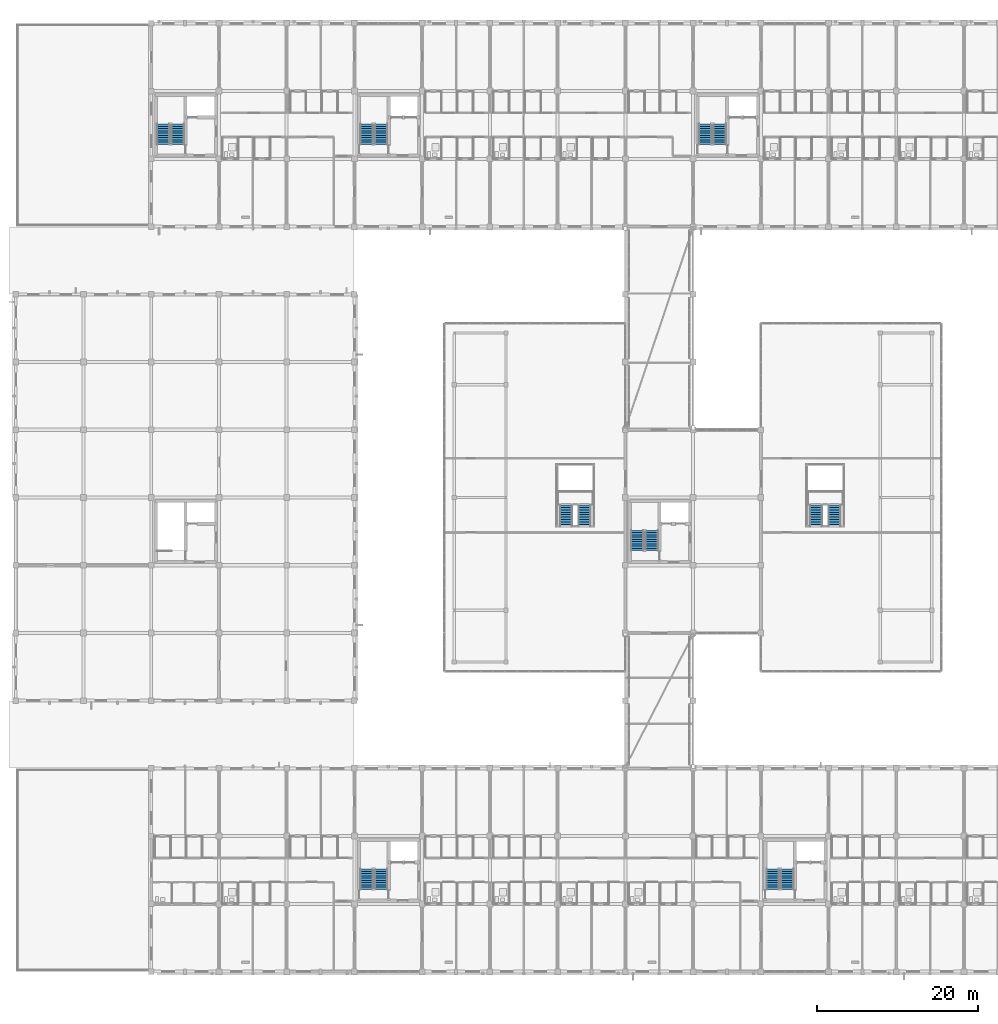
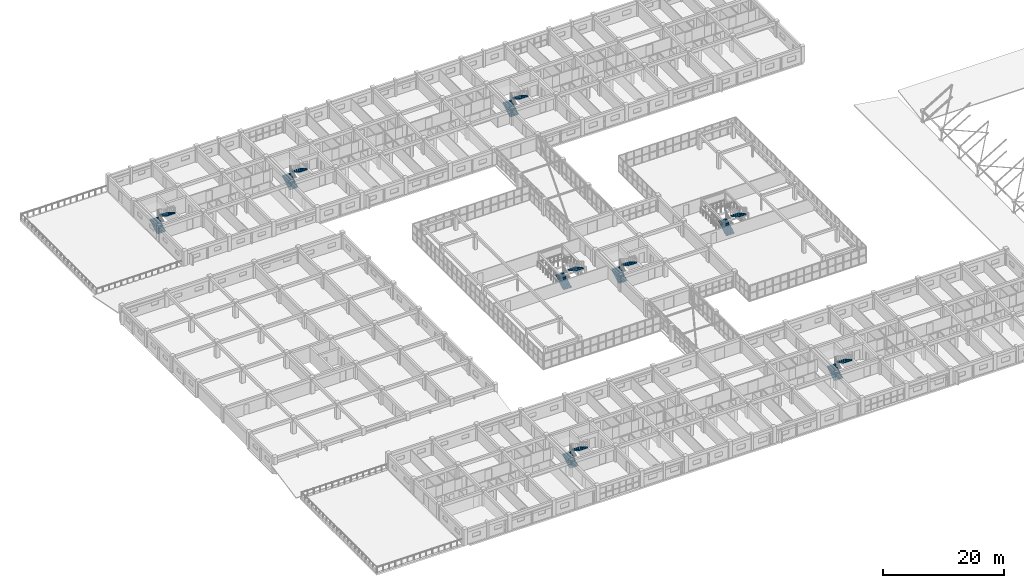
# One storey, part 133 of 148: 16 stair flights, 8 elements without a shape of their own.
"""IFC4 building model written with IfcOpenShell, lengths in metres."""

from ifc_helpers import new_model, si_unit, direction, frame, origin, place, context, subcontext, project, spatial, polyline, outline, extrude, material, type_object, element, aggregate, save


model = new_model("IFC4")

# Units and contexts
model_context = context("Model", 3, precision=1e-05, world=origin(), true_north=direction((0.0, 1.0)))
body_context = subcontext(model_context, "Body", "Model", "MODEL_VIEW")
ifc_project = project(units=[si_unit("LENGTHUNIT", "METRE"), si_unit("AREAUNIT", "SQUARE_METRE"), si_unit("VOLUMEUNIT", "CUBIC_METRE"), si_unit("PLANEANGLEUNIT", "RADIAN"), si_unit("MASSUNIT", "GRAM", prefix="KILO")], contexts=[model_context])

# Site, building, storey
site_placement = place(None, origin())
site = spatial("IfcSite", under=ifc_project, at=site_placement, CompositionType="ELEMENT")
building_placement = place(site_placement, origin())
building = spatial("IfcBuilding", under=site, at=building_placement, Name="Trelvath General Hospital", CompositionType="ELEMENT")
storey_placement = place(building_placement, frame((0.0, 0.0, 12.89990234375)))
storey = spatial("IfcBuildingStorey", under=building, at=storey_placement, Name="L03", CompositionType="ELEMENT", Elevation=12.89990234375)

# Stair, stair flights
ifc_material_1 = material(Name="Concrete C35/45", Category="concrete")
stair_type_1 = type_object("IfcStairType", Name="Stair PublicCube330", PredefinedType="TWO_STRAIGHT_RUN_STAIR", material=ifc_material_1)
stair_1_placement = place(storey_placement, origin())
stair_1 = element("IfcStair", 1, at=stair_1_placement, inside=storey, type_object=stair_type_1, Name="Public Cube Feature Stair ST9 L03", PredefinedType="TWO_STRAIGHT_RUN_STAIR")
ifc_material_2 = material(Name="Concrete C35/45", Category="concrete")
stair_flight_type_1 = type_object("IfcStairFlightType", Name="Flight PublicCube330", PredefinedType="STRAIGHT", material=ifc_material_2)
stair_flight_1_placement = place(storey_placement, frame((68.25, 55.169921875, 0.0), z_axis=(0.0, 0.0, 1.0), x_axis=(0.0, 1.0, 0.0)))
stair_flight_1 = element("IfcStairFlight", 2, at=stair_flight_1_placement, type_object=stair_flight_type_1, Name="ST9-L03 flight 1", NumberOfRisers=10, NumberOfTreads=9, PredefinedType="STRAIGHT", RiserHeight=0.165, TreadLength=0.3, context=body_context, shape_type="SweptSolid", body=[
    extrude(outline(polyline([(0.0, 0.0), (0.0, 0.1650390625), (0.300048828125, 0.1650390625), (0.300048828125, 0.330078125), (0.60009765625, 0.330078125), (0.60009765625, 0.4951171875), (0.89990234375, 0.4951171875), (0.89990234375, 0.659912109375), (1.199951171875, 0.659912109375), (1.199951171875, 0.824951171875), (1.5, 0.824951171875), (1.5, 0.989990234375), (1.800048828125, 0.989990234375), (1.800048828125, 1.155029296875), (2.10009765625, 1.155029296875), (2.10009765625, 1.320068359375), (2.39990234375, 1.320068359375), (2.39990234375, 1.485107421875), (2.699951171875, 1.485107421875), (2.699951171875, 1.64990234375), (2.699951171875, 1.302490234375), (0.331787109375, 0.0), (0.0, 0.0)])), frame((0.0, 0.77001953125, 0.0), z_axis=(0.0, -1.0, 0.0), x_axis=(1.0, 0.0, 0.0)), (0.0, 0.0, 1.0), 1.5400390625),
])
stair_flight_2_placement = place(storey_placement, frame((70.550048828125, 57.8701171875, 1.650146484375), z_axis=(0.0, 0.0, 1.0), x_axis=(0.0, -1.0, 0.0)))
stair_flight_2 = element("IfcStairFlight", 3, at=stair_flight_2_placement, type_object=stair_flight_type_1, Name="ST9-L03 flight 2", NumberOfRisers=10, NumberOfTreads=9, PredefinedType="STRAIGHT", RiserHeight=0.165, TreadLength=0.3, context=body_context, shape_type="SweptSolid", body=[
    extrude(outline(polyline([(0.0, 0.0), (0.0, 0.1650390625), (0.300048828125, 0.1650390625), (0.300048828125, 0.330078125), (0.60009765625, 0.330078125), (0.60009765625, 0.4951171875), (0.89990234375, 0.4951171875), (0.89990234375, 0.659912109375), (1.199951171875, 0.659912109375), (1.199951171875, 0.824951171875), (1.5, 0.824951171875), (1.5, 0.989990234375), (1.800048828125, 0.989990234375), (1.800048828125, 1.155029296875), (2.10009765625, 1.155029296875), (2.10009765625, 1.320068359375), (2.39990234375, 1.320068359375), (2.39990234375, 1.485107421875), (2.699951171875, 1.485107421875), (2.699951171875, 1.64990234375), (2.699951171875, 1.302490234375), (0.331787109375, 0.0), (0.0, 0.0)])), frame((0.0, 0.77001953125, 0.0), z_axis=(0.0, -1.0, 0.0), x_axis=(1.0, 0.0, 0.0)), (0.0, 0.0, 1.0), 1.5400390625),
])
aggregate(stair_1, [stair_flight_1, stair_flight_2])

stair_2_placement = place(storey_placement, origin())
stair_2 = element("IfcStair", 4, at=stair_2_placement, inside=storey, type_object=stair_type_1, Name="Public Cube Feature Stair ST10 L03", PredefinedType="TWO_STRAIGHT_RUN_STAIR")
stair_flight_3_placement = place(storey_placement, frame((99.25, 55.169921875, 0.0), z_axis=(0.0, 0.0, 1.0), x_axis=(0.0, 1.0, 0.0)))
stair_flight_3 = element("IfcStairFlight", 5, at=stair_flight_3_placement, type_object=stair_flight_type_1, Name="ST10-L03 flight 1", NumberOfRisers=10, NumberOfTreads=9, PredefinedType="STRAIGHT", RiserHeight=0.165, TreadLength=0.3, context=body_context, shape_type="SweptSolid", body=[
    extrude(outline(polyline([(0.0, 0.0), (0.0, 0.1650390625), (0.300048828125, 0.1650390625), (0.300048828125, 0.330078125), (0.60009765625, 0.330078125), (0.60009765625, 0.4951171875), (0.89990234375, 0.4951171875), (0.89990234375, 0.659912109375), (1.199951171875, 0.659912109375), (1.199951171875, 0.824951171875), (1.5, 0.824951171875), (1.5, 0.989990234375), (1.800048828125, 0.989990234375), (1.800048828125, 1.155029296875), (2.10009765625, 1.155029296875), (2.10009765625, 1.320068359375), (2.39990234375, 1.320068359375), (2.39990234375, 1.485107421875), (2.699951171875, 1.485107421875), (2.699951171875, 1.64990234375), (2.699951171875, 1.302490234375), (0.331787109375, 0.0), (0.0, 0.0)])), frame((0.0, 0.77001953125, 0.0), z_axis=(0.0, -1.0, 0.0), x_axis=(1.0, 0.0, 0.0)), (0.0, 0.0, 1.0), 1.5400390625),
])
stair_flight_4_placement = place(storey_placement, frame((101.550048828125, 57.8701171875, 1.650146484375), z_axis=(0.0, 0.0, 1.0), x_axis=(0.0, -1.0, 0.0)))
stair_flight_4 = element("IfcStairFlight", 6, at=stair_flight_4_placement, type_object=stair_flight_type_1, Name="ST10-L03 flight 2", NumberOfRisers=10, NumberOfTreads=9, PredefinedType="STRAIGHT", RiserHeight=0.165, TreadLength=0.3, context=body_context, shape_type="SweptSolid", body=[
    extrude(outline(polyline([(0.0, 0.0), (0.0, 0.1650390625), (0.300048828125, 0.1650390625), (0.300048828125, 0.330078125), (0.60009765625, 0.330078125), (0.60009765625, 0.4951171875), (0.89990234375, 0.4951171875), (0.89990234375, 0.659912109375), (1.199951171875, 0.659912109375), (1.199951171875, 0.824951171875), (1.5, 0.824951171875), (1.5, 0.989990234375), (1.800048828125, 0.989990234375), (1.800048828125, 1.155029296875), (2.10009765625, 1.155029296875), (2.10009765625, 1.320068359375), (2.39990234375, 1.320068359375), (2.39990234375, 1.485107421875), (2.699951171875, 1.485107421875), (2.699951171875, 1.64990234375), (2.699951171875, 1.302490234375), (0.331787109375, 0.0), (0.0, 0.0)])), frame((0.0, 0.77001953125, 0.0), z_axis=(0.0, -1.0, 0.0), x_axis=(1.0, 0.0, 0.0)), (0.0, 0.0, 1.0), 1.5400390625),
])
aggregate(stair_2, [stair_flight_3, stair_flight_4])

ifc_material_3 = material(Name="Concrete C35/45", Category="concrete")
stair_type_2 = type_object("IfcStairType", Name="Stair Stretcher330", PredefinedType="TWO_STRAIGHT_RUN_STAIR", material=ifc_material_3)
stair_3_placement = place(storey_placement, origin())
stair_3 = element("IfcStair", 7, at=stair_3_placement, inside=storey, type_object=stair_type_2, Name="Exit Stair ST1 L03", PredefinedType="TWO_STRAIGHT_RUN_STAIR")
ifc_material_4 = material(Name="Concrete C35/45", Category="concrete")
stair_flight_type_2 = type_object("IfcStairFlightType", Name="Flight Stretcher330", PredefinedType="STRAIGHT", material=ifc_material_4)
stair_flight_5_placement = place(storey_placement, frame((43.5, 102.60009765625, 0.0), z_axis=(0.0, 0.0, 1.0), x_axis=(0.0, 1.0, 0.0)))
stair_flight_5 = element("IfcStairFlight", 8, at=stair_flight_5_placement, type_object=stair_flight_type_2, Name="ST1-L03 flight 1", NumberOfRisers=10, NumberOfTreads=9, PredefinedType="STRAIGHT", RiserHeight=0.165, TreadLength=0.28, context=body_context, shape_type="SweptSolid", body=[
    extrude(outline(polyline([(0.0, 0.0), (0.0, 0.1650390625), (0.280029296875, 0.1650390625), (0.280029296875, 0.330078125), (0.56005859375, 0.330078125), (0.56005859375, 0.4951171875), (0.840087890625, 0.4951171875), (0.840087890625, 0.659912109375), (1.1201171875, 0.659912109375), (1.1201171875, 0.824951171875), (1.39990234375, 0.824951171875), (1.39990234375, 0.989990234375), (1.679931640625, 0.989990234375), (1.679931640625, 1.155029296875), (1.9599609375, 1.155029296875), (1.9599609375, 1.320068359375), (2.239990234375, 1.320068359375), (2.239990234375, 1.485107421875), (2.52001953125, 1.485107421875), (2.52001953125, 1.64990234375), (2.52001953125, 1.29931640625), (0.31494140625, 0.0), (0.0, 0.0)])), frame((0.0, 0.81005859375, 0.0), z_axis=(0.0, -1.0, 0.0), x_axis=(1.0, 0.0, 0.0)), (0.0, 0.0, 1.0), 1.6201171875),
])
stair_flight_6_placement = place(storey_placement, frame((45.300048828125, 105.1201171875, 1.650146484375), z_axis=(0.0, 0.0, 1.0), x_axis=(0.0, -1.0, 0.0)))
stair_flight_6 = element("IfcStairFlight", 9, at=stair_flight_6_placement, type_object=stair_flight_type_2, Name="ST1-L03 flight 2", NumberOfRisers=10, NumberOfTreads=9, PredefinedType="STRAIGHT", RiserHeight=0.165, TreadLength=0.28, context=body_context, shape_type="SweptSolid", body=[
    extrude(outline(polyline([(0.0, 0.0), (0.0, 0.1650390625), (0.280029296875, 0.1650390625), (0.280029296875, 0.330078125), (0.56005859375, 0.330078125), (0.56005859375, 0.4951171875), (0.840087890625, 0.4951171875), (0.840087890625, 0.659912109375), (1.1201171875, 0.659912109375), (1.1201171875, 0.824951171875), (1.39990234375, 0.824951171875), (1.39990234375, 0.989990234375), (1.679931640625, 0.989990234375), (1.679931640625, 1.155029296875), (1.9599609375, 1.155029296875), (1.9599609375, 1.320068359375), (2.239990234375, 1.320068359375), (2.239990234375, 1.485107421875), (2.52001953125, 1.485107421875), (2.52001953125, 1.64990234375), (2.52001953125, 1.29931640625), (0.31494140625, 0.0), (0.0, 0.0)])), frame((0.0, 0.81005859375, 0.0), z_axis=(0.0, -1.0, 0.0), x_axis=(1.0, 0.0, 0.0)), (0.0, 0.0, 1.0), 1.6201171875),
])
aggregate(stair_3, [stair_flight_5, stair_flight_6])

stair_4_placement = place(storey_placement, origin())
stair_4 = element("IfcStair", 10, at=stair_4_placement, inside=storey, type_object=stair_type_2, Name="Exit Stair ST2 L03", PredefinedType="TWO_STRAIGHT_RUN_STAIR")
stair_flight_7_placement = place(storey_placement, frame((85.5, 102.60009765625, 0.0), z_axis=(0.0, 0.0, 1.0), x_axis=(0.0, 1.0, 0.0)))
stair_flight_7 = element("IfcStairFlight", 11, at=stair_flight_7_placement, type_object=stair_flight_type_2, Name="ST2-L03 flight 1", NumberOfRisers=10, NumberOfTreads=9, PredefinedType="STRAIGHT", RiserHeight=0.165, TreadLength=0.28, context=body_context, shape_type="SweptSolid", body=[
    extrude(outline(polyline([(0.0, 0.0), (0.0, 0.1650390625), (0.280029296875, 0.1650390625), (0.280029296875, 0.330078125), (0.56005859375, 0.330078125), (0.56005859375, 0.4951171875), (0.840087890625, 0.4951171875), (0.840087890625, 0.659912109375), (1.1201171875, 0.659912109375), (1.1201171875, 0.824951171875), (1.39990234375, 0.824951171875), (1.39990234375, 0.989990234375), (1.679931640625, 0.989990234375), (1.679931640625, 1.155029296875), (1.9599609375, 1.155029296875), (1.9599609375, 1.320068359375), (2.239990234375, 1.320068359375), (2.239990234375, 1.485107421875), (2.52001953125, 1.485107421875), (2.52001953125, 1.64990234375), (2.52001953125, 1.29931640625), (0.31494140625, 0.0), (0.0, 0.0)])), frame((0.0, 0.81005859375, 0.0), z_axis=(0.0, -1.0, 0.0), x_axis=(1.0, 0.0, 0.0)), (0.0, 0.0, 1.0), 1.6201171875),
])
stair_flight_8_placement = place(storey_placement, frame((87.300048828125, 105.1201171875, 1.650146484375), z_axis=(0.0, 0.0, 1.0), x_axis=(0.0, -1.0, 0.0)))
stair_flight_8 = element("IfcStairFlight", 12, at=stair_flight_8_placement, type_object=stair_flight_type_2, Name="ST2-L03 flight 2", NumberOfRisers=10, NumberOfTreads=9, PredefinedType="STRAIGHT", RiserHeight=0.165, TreadLength=0.28, context=body_context, shape_type="SweptSolid", body=[
    extrude(outline(polyline([(0.0, 0.0), (0.0, 0.1650390625), (0.280029296875, 0.1650390625), (0.280029296875, 0.330078125), (0.56005859375, 0.330078125), (0.56005859375, 0.4951171875), (0.840087890625, 0.4951171875), (0.840087890625, 0.659912109375), (1.1201171875, 0.659912109375), (1.1201171875, 0.824951171875), (1.39990234375, 0.824951171875), (1.39990234375, 0.989990234375), (1.679931640625, 0.989990234375), (1.679931640625, 1.155029296875), (1.9599609375, 1.155029296875), (1.9599609375, 1.320068359375), (2.239990234375, 1.320068359375), (2.239990234375, 1.485107421875), (2.52001953125, 1.485107421875), (2.52001953125, 1.64990234375), (2.52001953125, 1.29931640625), (0.31494140625, 0.0), (0.0, 0.0)])), frame((0.0, 0.81005859375, 0.0), z_axis=(0.0, -1.0, 0.0), x_axis=(1.0, 0.0, 0.0)), (0.0, 0.0, 1.0), 1.6201171875),
])
aggregate(stair_4, [stair_flight_7, stair_flight_8])

stair_5_placement = place(storey_placement, origin())
stair_5 = element("IfcStair", 13, at=stair_5_placement, inside=storey, type_object=stair_type_2, Name="Exit Stair ST3 L03", PredefinedType="TWO_STRAIGHT_RUN_STAIR")
stair_flight_9_placement = place(storey_placement, frame((18.300048828125, 102.60009765625, 0.0), z_axis=(0.0, 0.0, 1.0), x_axis=(0.0, 1.0, 0.0)))
stair_flight_9 = element("IfcStairFlight", 14, at=stair_flight_9_placement, type_object=stair_flight_type_2, Name="ST3-L03 flight 1", NumberOfRisers=10, NumberOfTreads=9, PredefinedType="STRAIGHT", RiserHeight=0.165, TreadLength=0.28, context=body_context, shape_type="SweptSolid", body=[
    extrude(outline(polyline([(0.0, 0.0), (0.0, 0.1650390625), (0.280029296875, 0.1650390625), (0.280029296875, 0.330078125), (0.56005859375, 0.330078125), (0.56005859375, 0.4951171875), (0.840087890625, 0.4951171875), (0.840087890625, 0.659912109375), (1.1201171875, 0.659912109375), (1.1201171875, 0.824951171875), (1.39990234375, 0.824951171875), (1.39990234375, 0.989990234375), (1.679931640625, 0.989990234375), (1.679931640625, 1.155029296875), (1.9599609375, 1.155029296875), (1.9599609375, 1.320068359375), (2.239990234375, 1.320068359375), (2.239990234375, 1.485107421875), (2.52001953125, 1.485107421875), (2.52001953125, 1.64990234375), (2.52001953125, 1.29931640625), (0.31494140625, 0.0), (0.0, 0.0)])), frame((0.0, 0.81005859375, 0.0), z_axis=(0.0, -1.0, 0.0), x_axis=(1.0, 0.0, 0.0)), (0.0, 0.0, 1.0), 1.6201171875),
])
stair_flight_10_placement = place(storey_placement, frame((20.10009765625, 105.1201171875, 1.650146484375), z_axis=(0.0, 0.0, 1.0), x_axis=(0.0, -1.0, 0.0)))
stair_flight_10 = element("IfcStairFlight", 15, at=stair_flight_10_placement, type_object=stair_flight_type_2, Name="ST3-L03 flight 2", NumberOfRisers=10, NumberOfTreads=9, PredefinedType="STRAIGHT", RiserHeight=0.165, TreadLength=0.28, context=body_context, shape_type="SweptSolid", body=[
    extrude(outline(polyline([(0.0, 0.0), (0.0, 0.1650390625), (0.280029296875, 0.1650390625), (0.280029296875, 0.330078125), (0.56005859375, 0.330078125), (0.56005859375, 0.4951171875), (0.840087890625, 0.4951171875), (0.840087890625, 0.659912109375), (1.1201171875, 0.659912109375), (1.1201171875, 0.824951171875), (1.39990234375, 0.824951171875), (1.39990234375, 0.989990234375), (1.679931640625, 0.989990234375), (1.679931640625, 1.155029296875), (1.9599609375, 1.155029296875), (1.9599609375, 1.320068359375), (2.239990234375, 1.320068359375), (2.239990234375, 1.485107421875), (2.52001953125, 1.485107421875), (2.52001953125, 1.64990234375), (2.52001953125, 1.29931640625), (0.31494140625, 0.0), (0.0, 0.0)])), frame((0.0, 0.81005859375, 0.0), z_axis=(0.0, -1.0, 0.0), x_axis=(1.0, 0.0, 0.0)), (0.0, 0.0, 1.0), 1.6201171875),
])
aggregate(stair_5, [stair_flight_9, stair_flight_10])

stair_6_placement = place(storey_placement, origin())
stair_6 = element("IfcStair", 16, at=stair_6_placement, inside=storey, type_object=stair_type_2, Name="Exit Stair ST4 L03", PredefinedType="TWO_STRAIGHT_RUN_STAIR")
stair_flight_11_placement = place(storey_placement, frame((43.5, 10.199951171875, 0.0), z_axis=(0.0, 0.0, 1.0), x_axis=(0.0, 1.0, 0.0)))
stair_flight_11 = element("IfcStairFlight", 17, at=stair_flight_11_placement, type_object=stair_flight_type_2, Name="ST4-L03 flight 1", NumberOfRisers=10, NumberOfTreads=9, PredefinedType="STRAIGHT", RiserHeight=0.165, TreadLength=0.28, context=body_context, shape_type="SweptSolid", body=[
    extrude(outline(polyline([(0.0, 0.0), (0.0, 0.1650390625), (0.280029296875, 0.1650390625), (0.280029296875, 0.330078125), (0.56005859375, 0.330078125), (0.56005859375, 0.4951171875), (0.840087890625, 0.4951171875), (0.840087890625, 0.659912109375), (1.1201171875, 0.659912109375), (1.1201171875, 0.824951171875), (1.39990234375, 0.824951171875), (1.39990234375, 0.989990234375), (1.679931640625, 0.989990234375), (1.679931640625, 1.155029296875), (1.9599609375, 1.155029296875), (1.9599609375, 1.320068359375), (2.239990234375, 1.320068359375), (2.239990234375, 1.485107421875), (2.52001953125, 1.485107421875), (2.52001953125, 1.64990234375), (2.52001953125, 1.29931640625), (0.31494140625, 0.0), (0.0, 0.0)])), frame((0.0, 0.81005859375, 0.0), z_axis=(0.0, -1.0, 0.0), x_axis=(1.0, 0.0, 0.0)), (0.0, 0.0, 1.0), 1.6201171875),
])
stair_flight_12_placement = place(storey_placement, frame((45.300048828125, 12.719970703125, 1.650146484375), z_axis=(0.0, 0.0, 1.0), x_axis=(0.0, -1.0, 0.0)))
stair_flight_12 = element("IfcStairFlight", 18, at=stair_flight_12_placement, type_object=stair_flight_type_2, Name="ST4-L03 flight 2", NumberOfRisers=10, NumberOfTreads=9, PredefinedType="STRAIGHT", RiserHeight=0.165, TreadLength=0.28, context=body_context, shape_type="SweptSolid", body=[
    extrude(outline(polyline([(0.0, 0.0), (0.0, 0.1650390625), (0.280029296875, 0.1650390625), (0.280029296875, 0.330078125), (0.56005859375, 0.330078125), (0.56005859375, 0.4951171875), (0.840087890625, 0.4951171875), (0.840087890625, 0.659912109375), (1.1201171875, 0.659912109375), (1.1201171875, 0.824951171875), (1.39990234375, 0.824951171875), (1.39990234375, 0.989990234375), (1.679931640625, 0.989990234375), (1.679931640625, 1.155029296875), (1.9599609375, 1.155029296875), (1.9599609375, 1.320068359375), (2.239990234375, 1.320068359375), (2.239990234375, 1.485107421875), (2.52001953125, 1.485107421875), (2.52001953125, 1.64990234375), (2.52001953125, 1.29931640625), (0.31494140625, 0.0), (0.0, 0.0)])), frame((0.0, 0.81005859375, 0.0), z_axis=(0.0, -1.0, 0.0), x_axis=(1.0, 0.0, 0.0)), (0.0, 0.0, 1.0), 1.6201171875),
])
aggregate(stair_6, [stair_flight_11, stair_flight_12])

stair_7_placement = place(storey_placement, origin())
stair_7 = element("IfcStair", 19, at=stair_7_placement, inside=storey, type_object=stair_type_2, Name="Exit Stair ST5 L03", PredefinedType="TWO_STRAIGHT_RUN_STAIR")
stair_flight_13_placement = place(storey_placement, frame((93.89990234375, 10.199951171875, 0.0), z_axis=(0.0, 0.0, 1.0), x_axis=(0.0, 1.0, 0.0)))
stair_flight_13 = element("IfcStairFlight", 20, at=stair_flight_13_placement, type_object=stair_flight_type_2, Name="ST5-L03 flight 1", NumberOfRisers=10, NumberOfTreads=9, PredefinedType="STRAIGHT", RiserHeight=0.165, TreadLength=0.28, context=body_context, shape_type="SweptSolid", body=[
    extrude(outline(polyline([(0.0, 0.0), (0.0, 0.1650390625), (0.280029296875, 0.1650390625), (0.280029296875, 0.330078125), (0.56005859375, 0.330078125), (0.56005859375, 0.4951171875), (0.840087890625, 0.4951171875), (0.840087890625, 0.659912109375), (1.1201171875, 0.659912109375), (1.1201171875, 0.824951171875), (1.39990234375, 0.824951171875), (1.39990234375, 0.989990234375), (1.679931640625, 0.989990234375), (1.679931640625, 1.155029296875), (1.9599609375, 1.155029296875), (1.9599609375, 1.320068359375), (2.239990234375, 1.320068359375), (2.239990234375, 1.485107421875), (2.52001953125, 1.485107421875), (2.52001953125, 1.64990234375), (2.52001953125, 1.29931640625), (0.31494140625, 0.0), (0.0, 0.0)])), frame((0.0, 0.81005859375, 0.0), z_axis=(0.0, -1.0, 0.0), x_axis=(1.0, 0.0, 0.0)), (0.0, 0.0, 1.0), 1.6201171875),
])
stair_flight_14_placement = place(storey_placement, frame((95.699951171875, 12.719970703125, 1.650146484375), z_axis=(0.0, 0.0, 1.0), x_axis=(0.0, -1.0, 0.0)))
stair_flight_14 = element("IfcStairFlight", 21, at=stair_flight_14_placement, type_object=stair_flight_type_2, Name="ST5-L03 flight 2", NumberOfRisers=10, NumberOfTreads=9, PredefinedType="STRAIGHT", RiserHeight=0.165, TreadLength=0.28, context=body_context, shape_type="SweptSolid", body=[
    extrude(outline(polyline([(0.0, 0.0), (0.0, 0.1650390625), (0.280029296875, 0.1650390625), (0.280029296875, 0.330078125), (0.56005859375, 0.330078125), (0.56005859375, 0.4951171875), (0.840087890625, 0.4951171875), (0.840087890625, 0.659912109375), (1.1201171875, 0.659912109375), (1.1201171875, 0.824951171875), (1.39990234375, 0.824951171875), (1.39990234375, 0.989990234375), (1.679931640625, 0.989990234375), (1.679931640625, 1.155029296875), (1.9599609375, 1.155029296875), (1.9599609375, 1.320068359375), (2.239990234375, 1.320068359375), (2.239990234375, 1.485107421875), (2.52001953125, 1.485107421875), (2.52001953125, 1.64990234375), (2.52001953125, 1.29931640625), (0.31494140625, 0.0), (0.0, 0.0)])), frame((0.0, 0.81005859375, 0.0), z_axis=(0.0, -1.0, 0.0), x_axis=(1.0, 0.0, 0.0)), (0.0, 0.0, 1.0), 1.6201171875),
])
aggregate(stair_7, [stair_flight_13, stair_flight_14])

stair_8_placement = place(storey_placement, origin())
stair_8 = element("IfcStair", 22, at=stair_8_placement, inside=storey, type_object=stair_type_2, Name="Exit Stair ST6 L03", PredefinedType="TWO_STRAIGHT_RUN_STAIR")
stair_flight_15_placement = place(storey_placement, frame((77.10009765625, 52.199951171875, 0.0), z_axis=(0.0, 0.0, 1.0), x_axis=(0.0, 1.0, 0.0)))
stair_flight_15 = element("IfcStairFlight", 23, at=stair_flight_15_placement, type_object=stair_flight_type_2, Name="ST6-L03 flight 1", NumberOfRisers=10, NumberOfTreads=9, PredefinedType="STRAIGHT", RiserHeight=0.165, TreadLength=0.28, context=body_context, shape_type="SweptSolid", body=[
    extrude(outline(polyline([(0.0, 0.0), (0.0, 0.1650390625), (0.280029296875, 0.1650390625), (0.280029296875, 0.330078125), (0.56005859375, 0.330078125), (0.56005859375, 0.4951171875), (0.840087890625, 0.4951171875), (0.840087890625, 0.659912109375), (1.1201171875, 0.659912109375), (1.1201171875, 0.824951171875), (1.39990234375, 0.824951171875), (1.39990234375, 0.989990234375), (1.679931640625, 0.989990234375), (1.679931640625, 1.155029296875), (1.9599609375, 1.155029296875), (1.9599609375, 1.320068359375), (2.239990234375, 1.320068359375), (2.239990234375, 1.485107421875), (2.52001953125, 1.485107421875), (2.52001953125, 1.64990234375), (2.52001953125, 1.29931640625), (0.31494140625, 0.0), (0.0, 0.0)])), frame((0.0, 0.81005859375, 0.0), z_axis=(0.0, -1.0, 0.0), x_axis=(1.0, 0.0, 0.0)), (0.0, 0.0, 1.0), 1.6201171875),
])
stair_flight_16_placement = place(storey_placement, frame((78.89990234375, 54.719970703125, 1.650146484375), z_axis=(0.0, 0.0, 1.0), x_axis=(0.0, -1.0, 0.0)))
stair_flight_16 = element("IfcStairFlight", 24, at=stair_flight_16_placement, type_object=stair_flight_type_2, Name="ST6-L03 flight 2", NumberOfRisers=10, NumberOfTreads=9, PredefinedType="STRAIGHT", RiserHeight=0.165, TreadLength=0.28, context=body_context, shape_type="SweptSolid", body=[
    extrude(outline(polyline([(0.0, 0.0), (0.0, 0.1650390625), (0.280029296875, 0.1650390625), (0.280029296875, 0.330078125), (0.56005859375, 0.330078125), (0.56005859375, 0.4951171875), (0.840087890625, 0.4951171875), (0.840087890625, 0.659912109375), (1.1201171875, 0.659912109375), (1.1201171875, 0.824951171875), (1.39990234375, 0.824951171875), (1.39990234375, 0.989990234375), (1.679931640625, 0.989990234375), (1.679931640625, 1.155029296875), (1.9599609375, 1.155029296875), (1.9599609375, 1.320068359375), (2.239990234375, 1.320068359375), (2.239990234375, 1.485107421875), (2.52001953125, 1.485107421875), (2.52001953125, 1.64990234375), (2.52001953125, 1.29931640625), (0.31494140625, 0.0), (0.0, 0.0)])), frame((0.0, 0.81005859375, 0.0), z_axis=(0.0, -1.0, 0.0), x_axis=(1.0, 0.0, 0.0)), (0.0, 0.0, 1.0), 1.6201171875),
])
aggregate(stair_8, [stair_flight_15, stair_flight_16])

save(model, "model.ifc")
